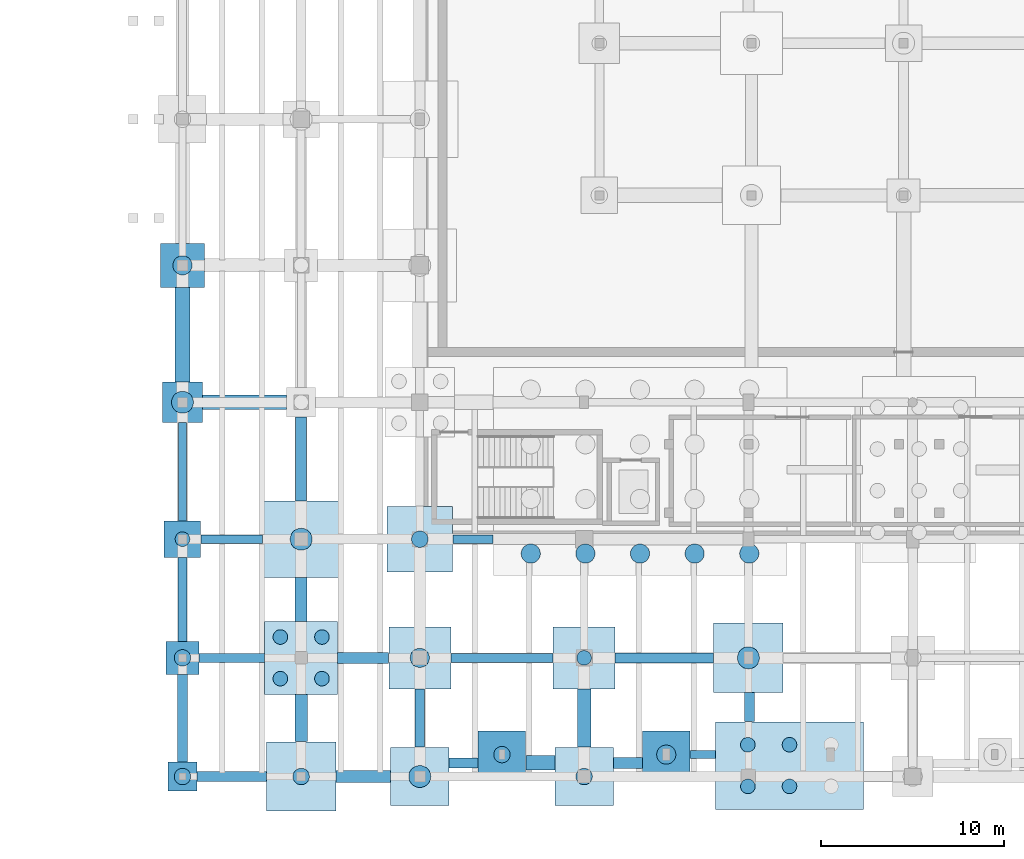
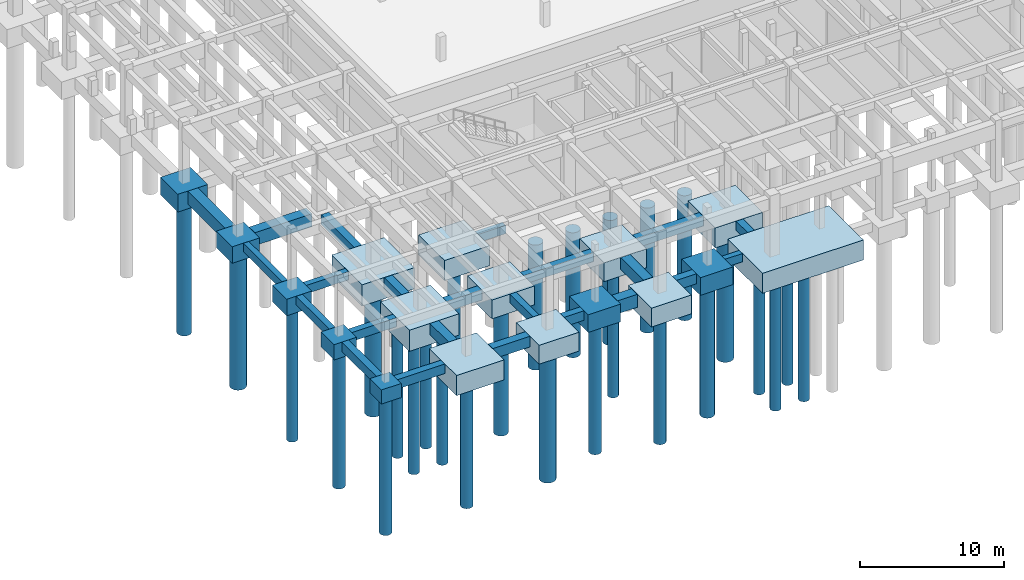
# One storey, part 1 of 36: 40 footings, 28 piles.
"""IFC4 building model written with IfcOpenShell, lengths in metres."""

from ifc_helpers import new_model, si_unit, direction, frame, origin, origin_2d, place, context, subcontext, project, spatial, polyline, circle, outline, extrude, material, material_profile, profile_set, type_object, element, save


model = new_model("IFC4")

# Units and contexts
model_context = context("Model", 3, precision=1e-05, world=origin(), true_north=direction((0.0, 1.0)))
body_context = subcontext(model_context, "Body", "Model", "MODEL_VIEW")
ifc_project = project(units=[si_unit("LENGTHUNIT", "METRE"), si_unit("AREAUNIT", "SQUARE_METRE"), si_unit("VOLUMEUNIT", "CUBIC_METRE"), si_unit("PLANEANGLEUNIT", "RADIAN"), si_unit("MASSUNIT", "GRAM", prefix="KILO"), si_unit("THERMODYNAMICTEMPERATUREUNIT", "KELVIN"), si_unit("POWERUNIT", "WATT")], contexts=[model_context])

# Site, building, storey
site_placement = place(None, origin())
site = spatial("IfcSite", under=ifc_project, at=site_placement, CompositionType="ELEMENT")
building_placement = place(site_placement, origin())
building = spatial("IfcBuilding", under=site, at=building_placement, Name="Tepalcoro Natatorium and Aquatics Centre", CompositionType="ELEMENT")
storey_placement = place(building_placement, frame((0.0, 0.0, -5.199951171875)))
storey = spatial("IfcBuildingStorey", under=building, at=storey_placement, Name="B1", CompositionType="ELEMENT", Elevation=-5.199951171875)

# Footings
ifc_material = material(Name="Concrete C40/50 (fc 40 MPa)", Category="concrete")
footing_type_1 = type_object("IfcFootingType", Name="FB_450x700", PredefinedType="FOOTING_BEAM", material=ifc_material)
footing_1_placement = place(storey_placement, frame((0.0, 0.0, -0.699951171875)))
element("IfcFooting", 1, at=footing_1_placement, inside=storey, type_object=footing_type_1, Name="V1 B1 Foundation Tie Beam X", PredefinedType="FOOTING_BEAM", context=body_context, shape_type="SweptSolid", body=[
    extrude(outline(polyline([(41.0048828125, 12.77490234375), (44.39501953125, 12.77490234375), (44.39501953125, 13.22509765625), (41.0048828125, 13.22509765625), (41.0048828125, 12.77490234375)])), origin(), (0.0, 0.0, 1.0), 0.699951171875),
])
footing_2_placement = place(storey_placement, frame((0.0, 0.0, -1.199951171875)))
element("IfcFooting", 2, at=footing_2_placement, inside=storey, type_object=footing_type_1, Name="V1 B1 Foundation Tie Beam X", PredefinedType="FOOTING_BEAM", context=body_context, shape_type="SweptSolid", body=[
    extrude(outline(polyline([(54.804931640625, 12.77490234375), (57.02001953125, 12.77490234375), (57.02001953125, 13.22509765625), (54.804931640625, 13.22509765625), (54.804931640625, 12.77490234375)])), origin(), (0.0, 0.0, 1.0), 0.699951171875),
])
footing_3_placement = place(storey_placement, frame((0.0, 0.0, -0.699951171875)))
element("IfcFooting", 3, at=footing_3_placement, inside=storey, type_object=footing_type_1, Name="V1 B1 Foundation Tie Beam X", PredefinedType="FOOTING_BEAM", context=body_context, shape_type="SweptSolid", body=[
    extrude(outline(polyline([(67.804931640625, 0.97509765625), (69.195068359375, 0.97509765625), (69.195068359375, 1.425048828125), (67.804931640625, 1.425048828125), (67.804931640625, 0.97509765625)])), origin(), (0.0, 0.0, 1.0), 0.699951171875),
])
footing_4_placement = place(storey_placement, frame((0.0, 0.0, -0.699951171875)))
element("IfcFooting", 4, at=footing_4_placement, inside=storey, type_object=footing_type_1, Name="V1 B1 Foundation Tie Beam Y", PredefinedType="FOOTING_BEAM", context=body_context, shape_type="SweptSolid", body=[
    extrude(outline(polyline([(40.22509765625, 14.0048828125), (40.22509765625, 19.39501953125), (39.77490234375, 19.39501953125), (39.77490234375, 14.0048828125), (40.22509765625, 14.0048828125)])), origin(), (0.0, 0.0, 1.0), 0.699951171875),
])
footing_type_2 = type_object("IfcFootingType", Name="FB_500x750", PredefinedType="FOOTING_BEAM", material=ifc_material)
footing_5_placement = place(storey_placement, frame((0.0, 0.0, -0.75)))
element("IfcFooting", 5, at=footing_5_placement, inside=storey, type_object=footing_type_2, Name="V1 B1 Foundation Tie Beam X", PredefinedType="FOOTING_BEAM", context=body_context, shape_type="SweptSolid", body=[
    extrude(outline(polyline([(40.905029296875, 6.25), (44.4951171875, 6.25), (44.4951171875, 6.75), (40.905029296875, 6.75), (40.905029296875, 6.25)])), origin(), (0.0, 0.0, 1.0), 0.75),
])
footing_6_placement = place(storey_placement, frame((0.0, 0.0, -0.75)))
element("IfcFooting", 6, at=footing_6_placement, inside=storey, type_object=footing_type_2, Name="V1 B1 Foundation Tie Beam X", PredefinedType="FOOTING_BEAM", context=body_context, shape_type="SweptSolid", body=[
    extrude(outline(polyline([(54.705078125, 6.25), (60.294921875, 6.25), (60.294921875, 6.75), (54.705078125, 6.75), (54.705078125, 6.25)])), origin(), (0.0, 0.0, 1.0), 0.75),
])
footing_7_placement = place(storey_placement, frame((0.0, 0.0, -0.75)))
element("IfcFooting", 7, at=footing_7_placement, inside=storey, type_object=footing_type_2, Name="V1 B1 Foundation Tie Beam Y", PredefinedType="FOOTING_BEAM", context=body_context, shape_type="SweptSolid", body=[
    extrude(outline(polyline([(40.25, 7.405029296875), (40.25, 11.9951171875), (39.75, 11.9951171875), (39.75, 7.405029296875), (40.25, 7.405029296875)])), origin(), (0.0, 0.0, 1.0), 0.75),
])
footing_8_placement = place(storey_placement, frame((0.0, 0.0, -0.75)))
element("IfcFooting", 8, at=footing_8_placement, inside=storey, type_object=footing_type_2, Name="V1 B1 Foundation Tie Beam Y", PredefinedType="FOOTING_BEAM", context=body_context, shape_type="SweptSolid", body=[
    extrude(outline(polyline([(53.25, 1.60498046875), (53.25, 4.794921875), (52.75, 4.794921875), (52.75, 1.60498046875), (53.25, 1.60498046875)])), origin(), (0.0, 0.0, 1.0), 0.75),
])
footing_type_3 = type_object("IfcFootingType", Name="FB_550x800", PredefinedType="FOOTING_BEAM", material=ifc_material)
footing_9_placement = place(storey_placement, frame((0.0, 0.0, -0.800048828125)))
element("IfcFooting", 9, at=footing_9_placement, inside=storey, type_object=footing_type_3, Name="V1 B1 Foundation Tie Beam X", PredefinedType="FOOTING_BEAM", context=body_context, shape_type="SweptSolid", body=[
    extrude(outline(polyline([(40.804931640625, -0.27490234375), (44.594970703125, -0.27490234375), (44.594970703125, 0.27490234375), (40.804931640625, 0.27490234375), (40.804931640625, -0.27490234375)])), origin(), (0.0, 0.0, 1.0), 0.800048828125),
])
footing_10_placement = place(storey_placement, frame((0.0, 0.0, -0.800048828125)))
element("IfcFooting", 10, at=footing_10_placement, inside=storey, type_object=footing_type_3, Name="V1 B1 Foundation Tie Beam X", PredefinedType="FOOTING_BEAM", context=body_context, shape_type="SweptSolid", body=[
    extrude(outline(polyline([(54.60498046875, 0.47509765625), (56.195068359375, 0.47509765625), (56.195068359375, 1.02490234375), (54.60498046875, 1.02490234375), (54.60498046875, 0.47509765625)])), origin(), (0.0, 0.0, 1.0), 0.800048828125),
])
footing_11_placement = place(storey_placement, frame((0.0, 0.0, -0.800048828125)))
element("IfcFooting", 11, at=footing_11_placement, inside=storey, type_object=footing_type_3, Name="V1 B1 Foundation Tie Beam X", PredefinedType="FOOTING_BEAM", context=body_context, shape_type="SweptSolid", body=[
    extrude(outline(polyline([(63.705078125, 6.22509765625), (69.094970703125, 6.22509765625), (69.094970703125, 6.77490234375), (63.705078125, 6.77490234375), (63.705078125, 6.22509765625)])), origin(), (0.0, 0.0, 1.0), 0.800048828125),
])
footing_12_placement = place(storey_placement, frame((0.0, 0.0, -0.800048828125)))
element("IfcFooting", 12, at=footing_12_placement, inside=storey, type_object=footing_type_3, Name="V1 B1 Foundation Tie Beam Y", PredefinedType="FOOTING_BEAM", context=body_context, shape_type="SweptSolid", body=[
    extrude(outline(polyline([(40.27490234375, 0.804931640625), (40.27490234375, 5.594970703125), (39.72509765625, 5.594970703125), (39.72509765625, 0.804931640625), (40.27490234375, 0.804931640625)])), origin(), (0.0, 0.0, 1.0), 0.800048828125),
])
footing_13_placement = place(storey_placement, frame((0.0, 0.0, -0.800048828125)))
element("IfcFooting", 13, at=footing_13_placement, inside=storey, type_object=footing_type_3, Name="V1 B1 Foundation Tie Beam Y", PredefinedType="FOOTING_BEAM", context=body_context, shape_type="SweptSolid", body=[
    extrude(outline(polyline([(71.324951171875, 3.0048828125), (71.324951171875, 4.594970703125), (70.77490234375, 4.594970703125), (70.77490234375, 3.0048828125), (71.324951171875, 3.0048828125)])), origin(), (0.0, 0.0, 1.0), 0.800048828125),
])
footing_type_4 = type_object("IfcFootingType", Name="FB_600x850", PredefinedType="FOOTING_BEAM", material=ifc_material)
footing_14_placement = place(storey_placement, frame((0.0, 0.0, -0.85009765625)))
element("IfcFooting", 14, at=footing_14_placement, inside=storey, type_object=footing_type_4, Name="V1 B1 Foundation Tie Beam X", PredefinedType="FOOTING_BEAM", context=body_context, shape_type="SweptSolid", body=[
    extrude(outline(polyline([(48.5048828125, 6.199951171875), (51.294921875, 6.199951171875), (51.294921875, 6.800048828125), (48.5048828125, 6.800048828125), (48.5048828125, 6.199951171875)])), origin(), (0.0, 0.0, 1.0), 0.85009765625),
])
footing_15_placement = place(storey_placement, frame((0.0, 0.0, -0.85009765625)))
element("IfcFooting", 15, at=footing_15_placement, inside=storey, type_object=footing_type_4, Name="V1 B1 Foundation Tie Beam X", PredefinedType="FOOTING_BEAM", context=body_context, shape_type="SweptSolid", body=[
    extrude(outline(polyline([(63.60498046875, 0.449951171875), (65.195068359375, 0.449951171875), (65.195068359375, 1.050048828125), (63.60498046875, 1.050048828125), (63.60498046875, 0.449951171875)])), origin(), (0.0, 0.0, 1.0), 0.85009765625),
])
footing_16_placement = place(storey_placement, frame((0.0, 0.0, -0.85009765625)))
element("IfcFooting", 16, at=footing_16_placement, inside=storey, type_object=footing_type_4, Name="V1 B1 Foundation Tie Beam Y", PredefinedType="FOOTING_BEAM", context=body_context, shape_type="SweptSolid", body=[
    extrude(outline(polyline([(46.800048828125, 15.10498046875), (46.800048828125, 19.695068359375), (46.199951171875, 19.695068359375), (46.199951171875, 15.10498046875), (46.800048828125, 15.10498046875)])), origin(), (0.0, 0.0, 1.0), 0.85009765625),
])
footing_type_5 = type_object("IfcFootingType", Name="FB_650x900", PredefinedType="FOOTING_BEAM", material=ifc_material)
footing_17_placement = place(storey_placement, frame((0.0, 0.0, -0.900146484375)))
element("IfcFooting", 17, at=footing_17_placement, inside=storey, type_object=footing_type_5, Name="V1 B1 Foundation Tie Beam X", PredefinedType="FOOTING_BEAM", context=body_context, shape_type="SweptSolid", body=[
    extrude(outline(polyline([(48.405029296875, -0.324951171875), (51.39501953125, -0.324951171875), (51.39501953125, 0.324951171875), (48.405029296875, 0.324951171875), (48.405029296875, -0.324951171875)])), origin(), (0.0, 0.0, 1.0), 0.900146484375),
])
footing_18_placement = place(storey_placement, frame((0.0, 0.0, -0.900146484375)))
element("IfcFooting", 18, at=footing_18_placement, inside=storey, type_object=footing_type_5, Name="V1 B1 Foundation Tie Beam Y", PredefinedType="FOOTING_BEAM", context=body_context, shape_type="SweptSolid", body=[
    extrude(outline(polyline([(46.824951171875, 8.5048828125), (46.824951171875, 10.89501953125), (46.175048828125, 10.89501953125), (46.175048828125, 8.5048828125), (46.824951171875, 8.5048828125)])), origin(), (0.0, 0.0, 1.0), 0.900146484375),
])
footing_type_6 = type_object("IfcFootingType", Name="FB_700x950", PredefinedType="FOOTING_BEAM", material=ifc_material)
footing_19_placement = place(storey_placement, frame((0.0, 0.0, -0.949951171875)))
element("IfcFooting", 19, at=footing_19_placement, inside=storey, type_object=footing_type_6, Name="V1 B1 Foundation Tie Beam Y", PredefinedType="FOOTING_BEAM", context=body_context, shape_type="SweptSolid", body=[
    extrude(outline(polyline([(46.85009765625, 1.905029296875), (46.85009765625, 4.4951171875), (46.14990234375, 4.4951171875), (46.14990234375, 1.905029296875), (46.85009765625, 1.905029296875)])), origin(), (0.0, 0.0, 1.0), 0.949951171875),
])
footing_type_7 = type_object("IfcFootingType", Name="FB_750x1000", PredefinedType="FOOTING_BEAM", material=ifc_material)
footing_20_placement = place(storey_placement, frame((0.0, 0.0, -1.0)))
element("IfcFooting", 20, at=footing_20_placement, inside=storey, type_object=footing_type_7, Name="V1 B1 Foundation Tie Beam Y", PredefinedType="FOOTING_BEAM", context=body_context, shape_type="SweptSolid", body=[
    extrude(outline(polyline([(62.375, 1.60498046875), (62.375, 4.794921875), (61.625, 4.794921875), (61.625, 1.60498046875), (62.375, 1.60498046875)])), origin(), (0.0, 0.0, 1.0), 1.0),
])
footing_type_8 = type_object("IfcFootingType", Name="FB_800x1100", PredefinedType="FOOTING_BEAM", material=ifc_material)
footing_21_placement = place(storey_placement, frame((0.0, 0.0, -1.10009765625)))
element("IfcFooting", 21, at=footing_21_placement, inside=storey, type_object=footing_type_8, Name="V1 B1 Foundation Tie Beam X", PredefinedType="FOOTING_BEAM", context=body_context, shape_type="SweptSolid", body=[
    extrude(outline(polyline([(41.10498046875, 20.10009765625), (45.695068359375, 20.10009765625), (45.695068359375, 20.89990234375), (41.10498046875, 20.89990234375), (41.10498046875, 20.10009765625)])), origin(), (0.0, 0.0, 1.0), 1.10009765625),
])
footing_22_placement = place(storey_placement, frame((0.0, 0.0, -1.10009765625)))
element("IfcFooting", 22, at=footing_22_placement, inside=storey, type_object=footing_type_8, Name="V1 B1 Foundation Tie Beam X", PredefinedType="FOOTING_BEAM", context=body_context, shape_type="SweptSolid", body=[
    extrude(outline(polyline([(58.804931640625, 0.35009765625), (60.39501953125, 0.35009765625), (60.39501953125, 1.14990234375), (58.804931640625, 1.14990234375), (58.804931640625, 0.35009765625)])), origin(), (0.0, 0.0, 1.0), 1.10009765625),
])
footing_23_placement = place(storey_placement, frame((0.0, 0.0, -1.10009765625)))
element("IfcFooting", 23, at=footing_23_placement, inside=storey, type_object=footing_type_8, Name="V1 B1 Foundation Tie Beam Y", PredefinedType="FOOTING_BEAM", context=body_context, shape_type="SweptSolid", body=[
    extrude(outline(polyline([(40.39990234375, 21.60498046875), (40.39990234375, 26.794921875), (39.60009765625, 26.794921875), (39.60009765625, 21.60498046875), (40.39990234375, 21.60498046875)])), origin(), (0.0, 0.0, 1.0), 1.10009765625),
])
footing_type_9 = type_object("IfcFootingType", Name="PC_1600x1600x1200", PredefinedType="PILE_CAP", material=ifc_material)
footing_24_placement = place(storey_placement, frame((0.0, 0.0, -1.199951171875)))
element("IfcFooting", 24, at=footing_24_placement, inside=storey, type_object=footing_type_9, Name="V1 Reinforced Concrete Pile Cap 11", PredefinedType="PILE_CAP", context=body_context, shape_type="SweptSolid", body=[
    extrude(outline(polyline([(39.199951171875, -0.800048828125), (40.800048828125, -0.800048828125), (40.800048828125, 0.800048828125), (39.199951171875, 0.800048828125), (39.199951171875, -0.800048828125)])), origin(), (0.0, 0.0, 1.0), 1.199951171875),
])
footing_type_10 = type_object("IfcFootingType", Name="PC_1800x1800x1300", PredefinedType="PILE_CAP", material=ifc_material)
footing_25_placement = place(storey_placement, frame((0.0, 0.0, -1.300048828125)))
element("IfcFooting", 25, at=footing_25_placement, inside=storey, type_object=footing_type_10, Name="V1 Reinforced Concrete Pile Cap 10", PredefinedType="PILE_CAP", context=body_context, shape_type="SweptSolid", body=[
    extrude(outline(polyline([(39.10009765625, 5.60009765625), (40.89990234375, 5.60009765625), (40.89990234375, 7.39990234375), (39.10009765625, 7.39990234375), (39.10009765625, 5.60009765625)])), origin(), (0.0, 0.0, 1.0), 1.300048828125),
])
footing_type_11 = type_object("IfcFootingType", Name="PC_2000x2000x1400", PredefinedType="PILE_CAP", material=ifc_material)
footing_26_placement = place(storey_placement, frame((0.0, 0.0, -1.400146484375)))
element("IfcFooting", 26, at=footing_26_placement, inside=storey, type_object=footing_type_11, Name="V1 Reinforced Concrete Pile Cap 9", PredefinedType="PILE_CAP", context=body_context, shape_type="SweptSolid", body=[
    extrude(outline(polyline([(39.0, 12.0), (41.0, 12.0), (41.0, 14.0), (39.0, 14.0), (39.0, 12.0)])), origin(), (0.0, 0.0, 1.0), 1.400146484375),
])
footing_type_12 = type_object("IfcFootingType", Name="PC_2200x2200x1400", PredefinedType="PILE_CAP", material=ifc_material)
footing_27_placement = place(storey_placement, frame((0.0, 0.0, -1.400146484375)))
element("IfcFooting", 27, at=footing_27_placement, inside=storey, type_object=footing_type_12, Name="V1 Reinforced Concrete Pile Cap 8", PredefinedType="PILE_CAP", context=body_context, shape_type="SweptSolid", body=[
    extrude(outline(polyline([(38.89990234375, 19.39990234375), (41.10009765625, 19.39990234375), (41.10009765625, 21.60009765625), (38.89990234375, 21.60009765625), (38.89990234375, 19.39990234375)])), origin(), (0.0, 0.0, 1.0), 1.400146484375),
])
footing_type_13 = type_object("IfcFootingType", Name="PC_2400x2400x1500", PredefinedType="PILE_CAP", material=ifc_material)
footing_28_placement = place(storey_placement, frame((0.0, 0.0, -1.5)))
element("IfcFooting", 28, at=footing_28_placement, inside=storey, type_object=footing_type_13, Name="V1 Reinforced Concrete Pile Cap 7", PredefinedType="PILE_CAP", context=body_context, shape_type="SweptSolid", body=[
    extrude(outline(polyline([(38.800048828125, 26.800048828125), (41.199951171875, 26.800048828125), (41.199951171875, 29.199951171875), (38.800048828125, 29.199951171875), (38.800048828125, 26.800048828125)])), origin(), (0.0, 0.0, 1.0), 1.5),
])
footing_type_14 = type_object("IfcFootingType", Name="PC_2600x2600x1500", PredefinedType="PILE_CAP", material=ifc_material)
footing_29_placement = place(storey_placement, frame((0.0, 0.0, -1.5)))
element("IfcFooting", 29, at=footing_29_placement, inside=storey, type_object=footing_type_14, Name="V1 Reinforced Concrete Pile Cap 34", PredefinedType="PILE_CAP", context=body_context, shape_type="SweptSolid", body=[
    extrude(outline(polyline([(56.199951171875, -0.10009765625), (58.800048828125, -0.10009765625), (58.800048828125, 2.5), (56.199951171875, 2.5), (56.199951171875, -0.10009765625)])), origin(), (0.0, 0.0, 1.0), 1.5),
])
footing_30_placement = place(storey_placement, frame((0.0, 0.0, -1.5)))
element("IfcFooting", 30, at=footing_30_placement, inside=storey, type_object=footing_type_14, Name="V1 Reinforced Concrete Pile Cap 43", PredefinedType="PILE_CAP", context=body_context, shape_type="SweptSolid", body=[
    extrude(outline(polyline([(65.199951171875, -0.10009765625), (67.800048828125, -0.10009765625), (67.800048828125, 2.5), (65.199951171875, 2.5), (65.199951171875, -0.10009765625)])), origin(), (0.0, 0.0, 1.0), 1.5),
])
footing_type_15 = type_object("IfcFootingType", Name="PC_3200x3200x1600", PredefinedType="PILE_CAP", material=ifc_material)
footing_31_placement = place(storey_placement, frame((0.0, 0.0, -1.60009765625)))
element("IfcFooting", 31, at=footing_31_placement, inside=storey, type_object=footing_type_15, Name="V1 Reinforced Concrete Pile Cap 28", PredefinedType="PILE_CAP", context=body_context, shape_type="SweptSolid", body=[
    extrude(outline(polyline([(51.39990234375, -1.60009765625), (54.60009765625, -1.60009765625), (54.60009765625, 1.60009765625), (51.39990234375, 1.60009765625), (51.39990234375, -1.60009765625)])), origin(), (0.0, 0.0, 1.0), 1.60009765625),
])
footing_32_placement = place(storey_placement, frame((0.0, 0.0, -1.60009765625)))
element("IfcFooting", 32, at=footing_32_placement, inside=storey, type_object=footing_type_15, Name="V1 Reinforced Concrete Pile Cap 38", PredefinedType="PILE_CAP", context=body_context, shape_type="SweptSolid", body=[
    extrude(outline(polyline([(60.39990234375, -1.60009765625), (63.60009765625, -1.60009765625), (63.60009765625, 1.60009765625), (60.39990234375, 1.60009765625), (60.39990234375, -1.60009765625)])), origin(), (0.0, 0.0, 1.0), 1.60009765625),
])
footing_type_16 = type_object("IfcFootingType", Name="PC_3400x3400x1600", PredefinedType="PILE_CAP", material=ifc_material)
footing_33_placement = place(storey_placement, frame((0.0, 0.0, -1.60009765625)))
element("IfcFooting", 33, at=footing_33_placement, inside=storey, type_object=footing_type_16, Name="V1 Reinforced Concrete Pile Cap 27", PredefinedType="PILE_CAP", context=body_context, shape_type="SweptSolid", body=[
    extrude(outline(polyline([(51.300048828125, 4.800048828125), (54.699951171875, 4.800048828125), (54.699951171875, 8.199951171875), (51.300048828125, 8.199951171875), (51.300048828125, 4.800048828125)])), origin(), (0.0, 0.0, 1.0), 1.60009765625),
])
footing_34_placement = place(storey_placement, frame((0.0, 0.0, -1.60009765625)))
element("IfcFooting", 34, at=footing_34_placement, inside=storey, type_object=footing_type_16, Name="V1 Reinforced Concrete Pile Cap 37", PredefinedType="PILE_CAP", context=body_context, shape_type="SweptSolid", body=[
    extrude(outline(polyline([(60.300048828125, 4.800048828125), (63.699951171875, 4.800048828125), (63.699951171875, 8.199951171875), (60.300048828125, 8.199951171875), (60.300048828125, 4.800048828125)])), origin(), (0.0, 0.0, 1.0), 1.60009765625),
])
footing_type_17 = type_object("IfcFootingType", Name="PC_3600x3600x1700", PredefinedType="PILE_CAP", material=ifc_material)
footing_35_placement = place(storey_placement, frame((0.0, 0.0, -2.199951171875)))
element("IfcFooting", 35, at=footing_35_placement, inside=storey, type_object=footing_type_17, Name="V1 Reinforced Concrete Pile Cap 26", PredefinedType="PILE_CAP", context=body_context, shape_type="SweptSolid", body=[
    extrude(outline(polyline([(51.199951171875, 11.199951171875), (54.800048828125, 11.199951171875), (54.800048828125, 14.800048828125), (51.199951171875, 14.800048828125), (51.199951171875, 11.199951171875)])), origin(), (0.0, 0.0, 1.0), 1.699951171875),
])
footing_36_placement = place(storey_placement, frame((0.0, 0.0, -1.699951171875)))
element("IfcFooting", 36, at=footing_36_placement, inside=storey, type_object=footing_type_17, Name="V1 Reinforced Concrete Pile Cap 45", PredefinedType="PILE_CAP", context=body_context, shape_type="SweptSolid", body=[
    extrude(outline(polyline([(69.199951171875, -1.800048828125), (77.300048828125, -1.800048828125), (77.300048828125, 3.0), (69.199951171875, 3.0), (69.199951171875, -1.800048828125)])), origin(), (0.0, 0.0, 1.0), 1.699951171875),
])
footing_type_18 = type_object("IfcFootingType", Name="PC_3800x3800x1700", PredefinedType="PILE_CAP", material=ifc_material)
footing_37_placement = place(storey_placement, frame((0.0, 0.0, -1.699951171875)))
element("IfcFooting", 37, at=footing_37_placement, inside=storey, type_object=footing_type_18, Name="V1 Reinforced Concrete Pile Cap 14", PredefinedType="PILE_CAP", context=body_context, shape_type="SweptSolid", body=[
    extrude(outline(polyline([(44.60009765625, -1.89990234375), (48.39990234375, -1.89990234375), (48.39990234375, 1.89990234375), (44.60009765625, 1.89990234375), (44.60009765625, -1.89990234375)])), origin(), (0.0, 0.0, 1.0), 1.699951171875),
])
footing_38_placement = place(storey_placement, frame((0.0, 0.0, -1.699951171875)))
element("IfcFooting", 38, at=footing_38_placement, inside=storey, type_object=footing_type_18, Name="V1 Reinforced Concrete Pile Cap 44", PredefinedType="PILE_CAP", context=body_context, shape_type="SweptSolid", body=[
    extrude(outline(polyline([(69.10009765625, 4.60009765625), (72.89990234375, 4.60009765625), (72.89990234375, 8.39990234375), (69.10009765625, 8.39990234375), (69.10009765625, 4.60009765625)])), origin(), (0.0, 0.0, 1.0), 1.699951171875),
])
footing_type_19 = type_object("IfcFootingType", Name="PC_4000x4000x1800", PredefinedType="PILE_CAP", material=ifc_material)
footing_39_placement = place(storey_placement, frame((0.0, 0.0, -1.800048828125)))
element("IfcFooting", 39, at=footing_39_placement, inside=storey, type_object=footing_type_19, Name="V1 Reinforced Concrete Pile Cap 13", PredefinedType="PILE_CAP", context=body_context, shape_type="SweptSolid", body=[
    extrude(outline(polyline([(44.5, 4.5), (48.5, 4.5), (48.5, 8.5), (44.5, 8.5), (44.5, 4.5)])), origin(), (0.0, 0.0, 1.0), 1.800048828125),
])
footing_type_20 = type_object("IfcFootingType", Name="PC_4200x4200x1800", PredefinedType="PILE_CAP", material=ifc_material)
footing_40_placement = place(storey_placement, frame((0.0, 0.0, -1.800048828125)))
element("IfcFooting", 40, at=footing_40_placement, inside=storey, type_object=footing_type_20, Name="V1 Reinforced Concrete Pile Cap 12", PredefinedType="PILE_CAP", context=body_context, shape_type="SweptSolid", body=[
    extrude(outline(polyline([(44.39990234375, 10.89990234375), (48.60009765625, 10.89990234375), (48.60009765625, 15.10009765625), (44.39990234375, 15.10009765625), (44.39990234375, 10.89990234375)])), origin(), (0.0, 0.0, 1.0), 1.800048828125),
])

# Piles
ifc_material_profile_1 = material_profile(ifc_material, circle(Radius=0.52490234375, at=origin_2d()), Name="PILE_D1050")
ifc_profile_set_1 = profile_set([ifc_material_profile_1], Name="Concrete C40/50 (fc 40 MPa)")
pile_type_1 = type_object("IfcPileType", Name="PILE_D1050", PredefinedType="BORED", material=ifc_profile_set_1)
pile_1_placement = place(storey_placement, frame((40.0, 28.0, -1.400146484375), z_axis=(0.0, 0.0, -1.0), x_axis=(1.0, 0.0, 0.0)))
element("IfcPile", 41, at=pile_1_placement, inside=storey, type_object=pile_type_1, Name="Bored Pile PILE_D1050 under PC_V1_0006", PredefinedType="BORED", context=body_context, shape_type="SweptSolid", body=[
    extrude(circle(Radius=0.52490234375, at=origin_2d()), origin(), (0.0, 0.0, 1.0), 11.39990234375),
])
pile_2_placement = place(storey_placement, frame((53.0, 6.5, -1.5), z_axis=(0.0, 0.0, -1.0), x_axis=(1.0, 0.0, 0.0)))
element("IfcPile", 42, at=pile_2_placement, inside=storey, type_object=pile_type_1, Name="Bored Pile PILE_D1050 under PC_V1_0026", PredefinedType="BORED", context=body_context, shape_type="SweptSolid", body=[
    extrude(circle(Radius=0.52490234375, at=origin_2d()), origin(), (0.0, 0.0, 1.0), 11.300048828125),
])
for number, where, z_axis, x_axis, name in (
    (43, (59.077392578125, 12.211181640625, -2.199951171875), (0.0, 0.0, -1.0), (1.0, 0.0, 0.0), "Bored Pile PILE_D1050 under PC_V1_0034"),
    (44, (62.070068359375, 12.211181640625, -2.199951171875), (0.0, 0.0, -1.0), (1.0, 0.0, 0.0), "Bored Pile PILE_D1050 under PC_V1_0034"),
    (45, (65.0625, 12.211181640625, -2.199951171875), (0.0, 0.0, -1.0), (1.0, 0.0, 0.0), "Bored Pile PILE_D1050 under PC_V1_0034"),
    (46, (68.054931640625, 12.211181640625, -2.199951171875), (0.0, 0.0, -1.0), (1.0, 0.0, 0.0), "Bored Pile PILE_D1050 under PC_V1_0034"),
    (47, (71.047607421875, 12.211181640625, -2.199951171875), (0.0, 0.0, -1.0), (1.0, 0.0, 0.0), "Bored Pile PILE_D1050 under PC_V1_0034"),
):
    element("IfcPile", number, at=place(storey_placement, frame(where, z_axis=z_axis, x_axis=x_axis)), inside=storey, type_object=pile_type_1, Name=name, PredefinedType="BORED", context=body_context, shape_type="SweptSolid", body=[
        extrude(circle(Radius=0.52490234375, at=origin_2d()), origin(), (0.0, 0.0, 1.0), 10.60009765625),
    ])
pile_3_placement = place(storey_placement, frame((66.5, 1.199951171875, -1.400146484375), z_axis=(0.0, 0.0, -1.0), x_axis=(1.0, 0.0, 0.0)))
element("IfcPile", 48, at=pile_3_placement, inside=storey, type_object=pile_type_1, Name="Bored Pile PILE_D1050 under PC_V1_0042", PredefinedType="BORED", context=body_context, shape_type="SweptSolid", body=[
    extrude(circle(Radius=0.52490234375, at=origin_2d()), origin(), (0.0, 0.0, 1.0), 11.39990234375),
])
ifc_material_profile_2 = material_profile(ifc_material, circle(Radius=0.60009765625, at=origin_2d()), Name="PILE_D1200")
ifc_profile_set_2 = profile_set([ifc_material_profile_2], Name="Concrete C40/50 (fc 40 MPa)")
pile_type_2 = type_object("IfcPileType", Name="PILE_D1200", PredefinedType="BORED", material=ifc_profile_set_2)
pile_4_placement = place(storey_placement, frame((40.0, 20.5, -1.300048828125), z_axis=(0.0, 0.0, -1.0), x_axis=(1.0, 0.0, 0.0)))
element("IfcPile", 49, at=pile_4_placement, inside=storey, type_object=pile_type_2, Name="Bored Pile PILE_D1200 under PC_V1_0007", PredefinedType="BORED", context=body_context, shape_type="SweptSolid", body=[
    extrude(circle(Radius=0.60009765625, at=origin_2d()), origin(), (0.0, 0.0, 1.0), 11.5),
])
pile_5_placement = place(storey_placement, frame((46.5, 13.0, -1.699951171875), z_axis=(0.0, 0.0, -1.0), x_axis=(1.0, 0.0, 0.0)))
element("IfcPile", 50, at=pile_5_placement, inside=storey, type_object=pile_type_2, Name="Bored Pile PILE_D1200 under PC_V1_0011", PredefinedType="BORED", context=body_context, shape_type="SweptSolid", body=[
    extrude(circle(Radius=0.60009765625, at=origin_2d()), origin(), (0.0, 0.0, 1.0), 11.10009765625),
])
pile_6_placement = place(storey_placement, frame((53.0, 0.0, -1.5), z_axis=(0.0, 0.0, -1.0), x_axis=(1.0, 0.0, 0.0)))
element("IfcPile", 51, at=pile_6_placement, inside=storey, type_object=pile_type_2, Name="Bored Pile PILE_D1200 under PC_V1_0027", PredefinedType="BORED", context=body_context, shape_type="SweptSolid", body=[
    extrude(circle(Radius=0.60009765625, at=origin_2d()), origin(), (0.0, 0.0, 1.0), 11.300048828125),
])
pile_7_placement = place(storey_placement, frame((71.0, 6.5, -1.60009765625), z_axis=(0.0, 0.0, -1.0), x_axis=(1.0, 0.0, 0.0)))
element("IfcPile", 52, at=pile_7_placement, inside=storey, type_object=pile_type_2, Name="Bored Pile PILE_D1200 under PC_V1_0043", PredefinedType="BORED", context=body_context, shape_type="SweptSolid", body=[
    extrude(circle(Radius=0.60009765625, at=origin_2d()), origin(), (0.0, 0.0, 1.0), 11.199951171875),
])
ifc_material_profile_3 = material_profile(ifc_material, circle(Radius=0.39990234375, at=origin_2d()), Name="PILE_D800")
ifc_profile_set_3 = profile_set([ifc_material_profile_3], Name="Concrete C40/50 (fc 40 MPa)")
pile_type_3 = type_object("IfcPileType", Name="PILE_D800", PredefinedType="BORED", material=ifc_profile_set_3)
pile_8_placement = place(storey_placement, frame((40.0, 13.0, -1.300048828125), z_axis=(0.0, 0.0, -1.0), x_axis=(1.0, 0.0, 0.0)))
element("IfcPile", 53, at=pile_8_placement, inside=storey, type_object=pile_type_3, Name="Bored Pile PILE_D800 under PC_V1_0008", PredefinedType="BORED", context=body_context, shape_type="SweptSolid", body=[
    extrude(circle(Radius=0.39990234375, at=origin_2d()), origin(), (0.0, 0.0, 1.0), 11.5),
])
for number, where, z_axis, x_axis, name in (
    (54, (45.360107421875, 5.360107421875, -1.699951171875), (0.0, 0.0, -1.0), (1.0, 0.0, 0.0), "Bored Pile PILE_D800 under PC_V1_0012"),
    (55, (45.360107421875, 7.639892578125, -1.699951171875), (0.0, 0.0, -1.0), (1.0, 0.0, 0.0), "Bored Pile PILE_D800 under PC_V1_0012"),
    (56, (47.639892578125, 5.360107421875, -1.699951171875), (0.0, 0.0, -1.0), (1.0, 0.0, 0.0), "Bored Pile PILE_D800 under PC_V1_0012"),
    (57, (47.639892578125, 7.639892578125, -1.699951171875), (0.0, 0.0, -1.0), (1.0, 0.0, 0.0), "Bored Pile PILE_D800 under PC_V1_0012"),
):
    element("IfcPile", number, at=place(storey_placement, frame(where, z_axis=z_axis, x_axis=x_axis)), inside=storey, type_object=pile_type_3, Name=name, PredefinedType="BORED", context=body_context, shape_type="SweptSolid", body=[
        extrude(circle(Radius=0.39990234375, at=origin_2d()), origin(), (0.0, 0.0, 1.0), 11.10009765625),
    ])
pile_9_placement = place(storey_placement, frame((62.0, 6.5, -1.5), z_axis=(0.0, 0.0, -1.0), x_axis=(1.0, 0.0, 0.0)))
element("IfcPile", 58, at=pile_9_placement, inside=storey, type_object=pile_type_3, Name="Bored Pile PILE_D800 under PC_V1_0036", PredefinedType="BORED", context=body_context, shape_type="SweptSolid", body=[
    extrude(circle(Radius=0.39990234375, at=origin_2d()), origin(), (0.0, 0.0, 1.0), 11.300048828125),
])
for number, where, z_axis, x_axis, name in (
    (59, (70.969970703125, -0.5400390625, -1.60009765625), (0.0, 0.0, -1.0), (1.0, 0.0, 0.0), "Bored Pile PILE_D800 under PC_V1_0044"),
    (60, (70.969970703125, 1.739990234375, -1.60009765625), (0.0, 0.0, -1.0), (1.0, 0.0, 0.0), "Bored Pile PILE_D800 under PC_V1_0044"),
    (61, (73.25, -0.5400390625, -1.60009765625), (0.0, 0.0, -1.0), (1.0, 0.0, 0.0), "Bored Pile PILE_D800 under PC_V1_0044"),
    (62, (73.25, 1.739990234375, -1.60009765625), (0.0, 0.0, -1.0), (1.0, 0.0, 0.0), "Bored Pile PILE_D800 under PC_V1_0044"),
):
    element("IfcPile", number, at=place(storey_placement, frame(where, z_axis=z_axis, x_axis=x_axis)), inside=storey, type_object=pile_type_3, Name=name, PredefinedType="BORED", context=body_context, shape_type="SweptSolid", body=[
        extrude(circle(Radius=0.39990234375, at=origin_2d()), origin(), (0.0, 0.0, 1.0), 11.199951171875),
    ])
ifc_material_profile_4 = material_profile(ifc_material, circle(Radius=0.449951171875, at=origin_2d()), Name="PILE_D900")
ifc_profile_set_4 = profile_set([ifc_material_profile_4], Name="Concrete C40/50 (fc 40 MPa)")
pile_type_4 = type_object("IfcPileType", Name="PILE_D900", PredefinedType="BORED", material=ifc_profile_set_4)
pile_10_placement = place(storey_placement, frame((40.0, 6.5, -1.199951171875), z_axis=(0.0, 0.0, -1.0), x_axis=(1.0, 0.0, 0.0)))
element("IfcPile", 63, at=pile_10_placement, inside=storey, type_object=pile_type_4, Name="Bored Pile PILE_D900 under PC_V1_0009", PredefinedType="BORED", context=body_context, shape_type="SweptSolid", body=[
    extrude(circle(Radius=0.449951171875, at=origin_2d()), origin(), (0.0, 0.0, 1.0), 11.60009765625),
])
pile_11_placement = place(storey_placement, frame((40.0, 0.0, -1.10009765625), z_axis=(0.0, 0.0, -1.0), x_axis=(1.0, 0.0, 0.0)))
element("IfcPile", 64, at=pile_11_placement, inside=storey, type_object=pile_type_4, Name="Bored Pile PILE_D900 under PC_V1_0010", PredefinedType="BORED", context=body_context, shape_type="SweptSolid", body=[
    extrude(circle(Radius=0.449951171875, at=origin_2d()), origin(), (0.0, 0.0, 1.0), 11.699951171875),
])
pile_12_placement = place(storey_placement, frame((46.5, 0.0, -1.60009765625), z_axis=(0.0, 0.0, -1.0), x_axis=(1.0, 0.0, 0.0)))
element("IfcPile", 65, at=pile_12_placement, inside=storey, type_object=pile_type_4, Name="Bored Pile PILE_D900 under PC_V1_0013", PredefinedType="BORED", context=body_context, shape_type="SweptSolid", body=[
    extrude(circle(Radius=0.449951171875, at=origin_2d()), origin(), (0.0, 0.0, 1.0), 11.199951171875),
])
pile_13_placement = place(storey_placement, frame((53.0, 13.0, -2.10009765625), z_axis=(0.0, 0.0, -1.0), x_axis=(1.0, 0.0, 0.0)))
element("IfcPile", 66, at=pile_13_placement, inside=storey, type_object=pile_type_4, Name="Bored Pile PILE_D900 under PC_V1_0025", PredefinedType="BORED", context=body_context, shape_type="SweptSolid", body=[
    extrude(circle(Radius=0.449951171875, at=origin_2d()), origin(), (0.0, 0.0, 1.0), 10.699951171875),
])
pile_14_placement = place(storey_placement, frame((57.5, 1.199951171875, -1.400146484375), z_axis=(0.0, 0.0, -1.0), x_axis=(1.0, 0.0, 0.0)))
element("IfcPile", 67, at=pile_14_placement, inside=storey, type_object=pile_type_4, Name="Bored Pile PILE_D900 under PC_V1_0033", PredefinedType="BORED", context=body_context, shape_type="SweptSolid", body=[
    extrude(circle(Radius=0.449951171875, at=origin_2d()), origin(), (0.0, 0.0, 1.0), 11.39990234375),
])
pile_15_placement = place(storey_placement, frame((62.0, 0.0, -1.5), z_axis=(0.0, 0.0, -1.0), x_axis=(1.0, 0.0, 0.0)))
element("IfcPile", 68, at=pile_15_placement, inside=storey, type_object=pile_type_4, Name="Bored Pile PILE_D900 under PC_V1_0037", PredefinedType="BORED", context=body_context, shape_type="SweptSolid", body=[
    extrude(circle(Radius=0.449951171875, at=origin_2d()), origin(), (0.0, 0.0, 1.0), 11.300048828125),
])

save(model, "model.ifc")
